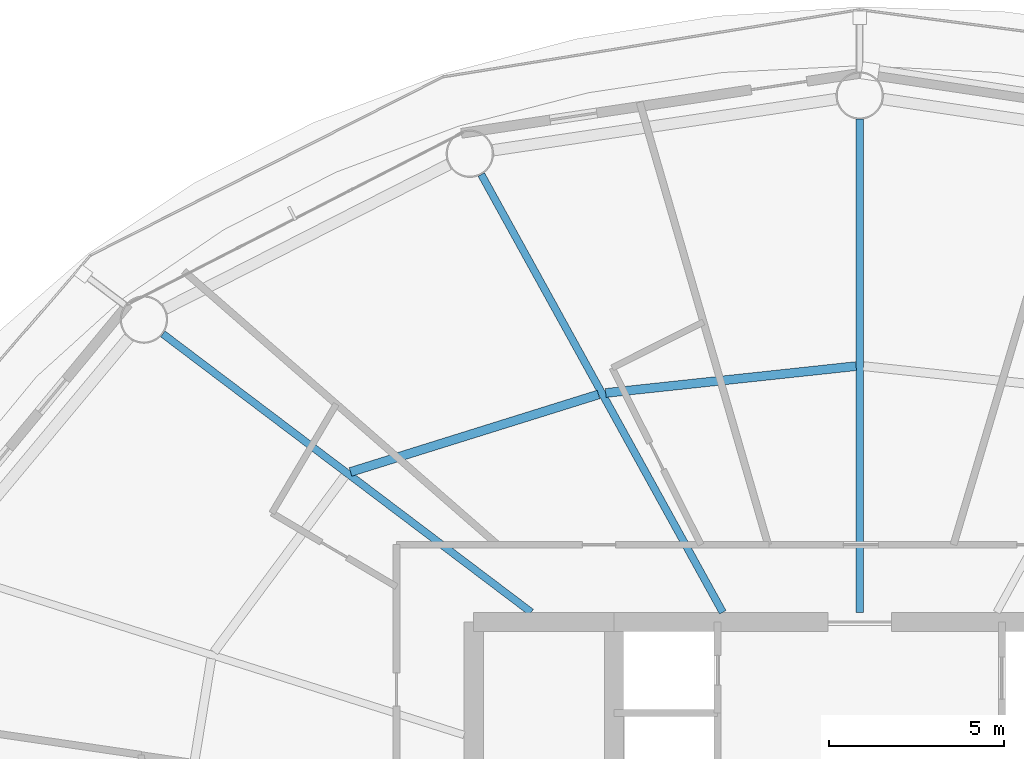
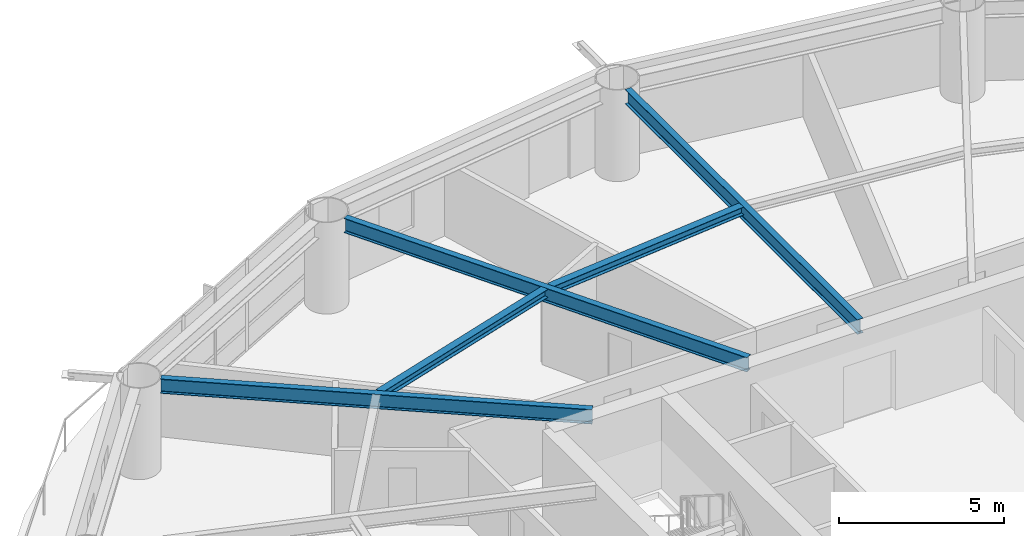
# One storey, part 9 of 24: 5 beams.
"""IFC4 building model written with IfcOpenShell, lengths in metres."""

from ifc_helpers import new_model, si_unit, direction, frame, origin, origin_2d, place, context, subcontext, project, spatial, i_section, extrude, material, material_profile, profile_set, type_object, element, save


model = new_model("IFC4")

# Units and contexts
model_context = context("Model", 3, precision=1e-05, world=origin(), true_north=direction((0.0, 1.0)))
body_context = subcontext(model_context, "Body", "Model", "MODEL_VIEW")
ifc_project = project(units=[si_unit("LENGTHUNIT", "METRE"), si_unit("AREAUNIT", "SQUARE_METRE"), si_unit("VOLUMEUNIT", "CUBIC_METRE"), si_unit("PLANEANGLEUNIT", "RADIAN"), si_unit("MASSUNIT", "GRAM", prefix="KILO")], contexts=[model_context])

# Site, building, storey
site_placement = place(None, origin())
site = spatial("IfcSite", under=ifc_project, at=site_placement, CompositionType="ELEMENT")
building_placement = place(site_placement, origin())
building = spatial("IfcBuilding", under=site, at=building_placement, Name="Sarneth Arch Tower", CompositionType="ELEMENT")
storey_placement = place(building_placement, frame((0.0, 0.0, 123.60009765625)))
storey = spatial("IfcBuildingStorey", under=building, at=storey_placement, Name="L31", CompositionType="ELEMENT", Elevation=123.60009765625)

# Beams
ifc_material_1 = material(Name="Steel S355", Category="steel")
ifc_material_profile_1 = material_profile(ifc_material_1, i_section(OverallWidth=0.25390625, OverallDepth=0.305908203125, WebThickness=0.0087890625, FlangeThickness=0.0146484375, FilletRadius=0.014892578125, at=origin_2d()), Name="W310x79")
ifc_profile_set_1 = profile_set([ifc_material_profile_1], Name="Steel S355")
beam_type_1 = type_object("IfcBeamType", Name="BM-JOIST-310A", PredefinedType="JOIST", material=ifc_profile_set_1)
beam_1_placement = place(storey_placement, frame((47.89501953125, 56.0888671875, 3.226806640625), z_axis=(-0.99429330851, -0.106680910441, 0.0), x_axis=(0.106680910441, -0.99429330851, 0.0)))
element("IfcBeam", 1, at=beam_1_placement, inside=storey, type_object=beam_type_1, Name="L31 Secondary floor joist 05", PredefinedType="JOIST", context=body_context, shape_type="SweptSolid", body=[
    extrude(i_section(OverallWidth=0.25390625, OverallDepth=0.305908203125, WebThickness=0.0087890625, FlangeThickness=0.0146484375, FilletRadius=0.014892578125, at=origin_2d()), origin(), (0.0, 0.0, 1.0), 7.174560546875),
])
beam_2_placement = place(storey_placement, frame((40.5556640625, 55.28076171875, 3.226806640625), z_axis=(-0.9544870201, -0.298252457594, 0.0), x_axis=(0.298252457594, -0.9544870201, 0.0)))
element("IfcBeam", 2, at=beam_2_placement, inside=storey, type_object=beam_type_1, Name="L31 Secondary floor joist 06", PredefinedType="JOIST", context=body_context, shape_type="SweptSolid", body=[
    extrude(i_section(OverallWidth=0.25390625, OverallDepth=0.305908203125, WebThickness=0.0087890625, FlangeThickness=0.0146484375, FilletRadius=0.014892578125, at=origin_2d()), origin(), (0.0, 0.0, 1.0), 7.40234375),
])
ifc_material_2 = material(Name="Steel S355", Category="steel")
ifc_material_profile_2 = material_profile(ifc_material_2, i_section(OverallWidth=0.2109375, OverallDepth=0.5390625, WebThickness=0.01171875, FlangeThickness=0.018798828125, FilletRadius=0.01806640625, at=origin_2d()), Name="W530x109")
ifc_profile_set_2 = profile_set([ifc_material_profile_2], Name="Steel S355")
beam_type_2 = type_object("IfcBeamType", Name="BM-RAD-530B", PredefinedType="BEAM", material=ifc_profile_set_2)
beam_3_placement = place(storey_placement, frame((48.0, 49.074951171875, 3.1103515625), z_axis=(0.0, 1.0, 0.0), x_axis=(-1.0, 0.0, 0.0)))
element("IfcBeam", 3, at=beam_3_placement, inside=storey, type_object=beam_type_2, Name="L31 Radial floor girder 05", PredefinedType="BEAM", context=body_context, shape_type="SweptSolid", body=[
    extrude(i_section(OverallWidth=0.2109375, OverallDepth=0.5390625, WebThickness=0.01171875, FlangeThickness=0.018798828125, FilletRadius=0.01806640625, at=origin_2d()), origin(), (0.0, 0.0, 1.0), 14.050048828125),
])
beam_4_placement = place(storey_placement, frame((44.09716796875, 49.074951171875, 3.1103515625), z_axis=(-0.48301301286, 0.875613173387, 0.0), x_axis=(-0.875613173387, -0.48301301286, 0.0)))
element("IfcBeam", 4, at=beam_4_placement, inside=storey, type_object=beam_type_2, Name="L31 Radial floor girder 06", PredefinedType="BEAM", context=body_context, shape_type="SweptSolid", body=[
    extrude(i_section(OverallWidth=0.2109375, OverallDepth=0.5390625, WebThickness=0.01171875, FlangeThickness=0.018798828125, FilletRadius=0.01806640625, at=origin_2d()), origin(), (0.0, 0.0, 1.0), 14.246826171875),
])
beam_5_placement = place(storey_placement, frame((38.63818359375, 49.074951171875, 3.1103515625), z_axis=(-0.797801476102, 0.602920230818, 0.0), x_axis=(-0.602920230818, -0.797801476102, 0.0)))
element("IfcBeam", 5, at=beam_5_placement, inside=storey, type_object=beam_type_2, Name="L31 Radial floor girder 07", PredefinedType="BEAM", context=body_context, shape_type="SweptSolid", body=[
    extrude(i_section(OverallWidth=0.2109375, OverallDepth=0.5390625, WebThickness=0.01171875, FlangeThickness=0.018798828125, FilletRadius=0.01806640625, at=origin_2d()), origin(), (0.0, 0.0, 1.0), 13.15771484375),
])

save(model, "model.ifc")
